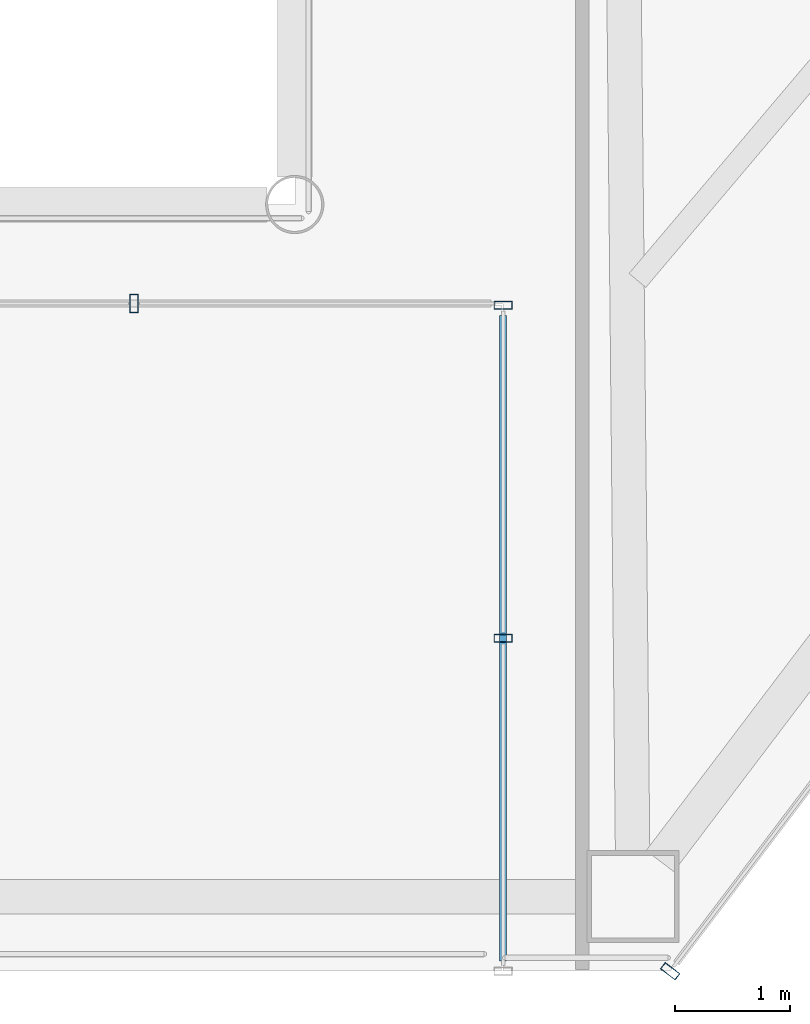
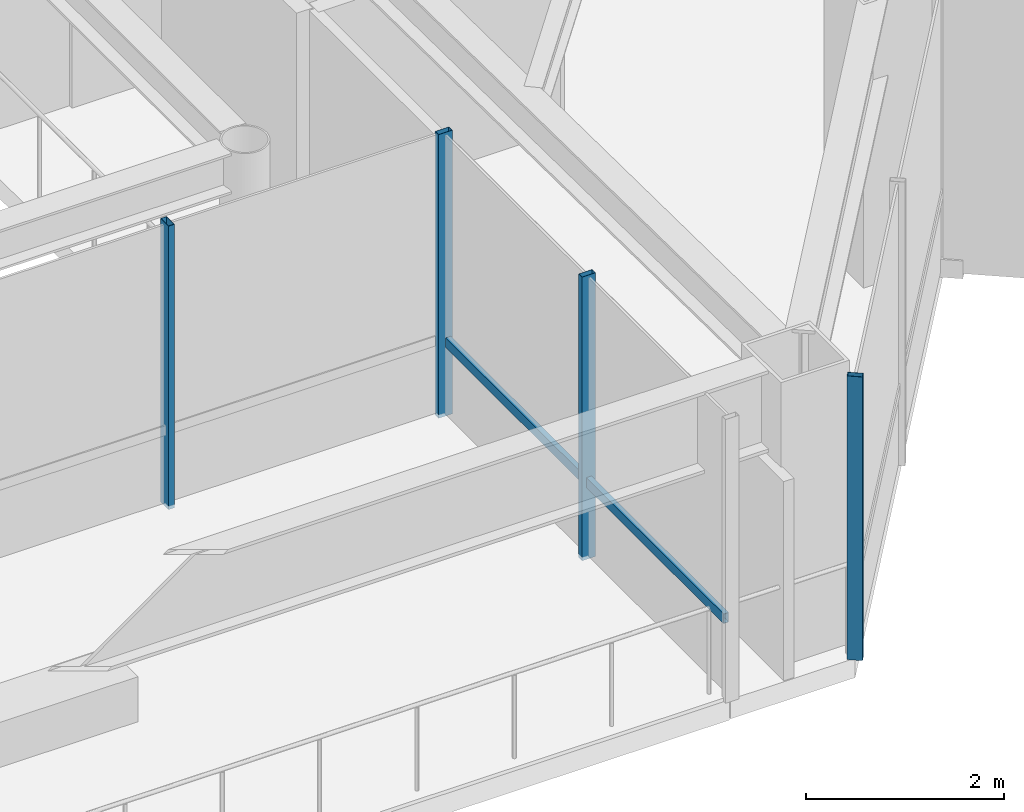
# One storey, part 7 of 28: 5 members, 3 elements without a shape of their own.
"""IFC4 building model written with IfcOpenShell, lengths in metres."""

from ifc_helpers import new_model, si_unit, direction, frame, origin, origin_2d, place, context, subcontext, project, spatial, hollow_rectangle, extrude, material, layer, layer_set, material_profile, profile_set, type_object, element, aggregate, save


model = new_model("IFC4")

# Units and contexts
model_context = context("Model", 3, precision=1e-05, world=origin(), true_north=direction((0.0, 1.0)))
body_context = subcontext(model_context, "Body", "Model", "MODEL_VIEW")
ifc_project = project(units=[si_unit("LENGTHUNIT", "METRE"), si_unit("AREAUNIT", "SQUARE_METRE"), si_unit("VOLUMEUNIT", "CUBIC_METRE"), si_unit("PLANEANGLEUNIT", "RADIAN"), si_unit("MASSUNIT", "GRAM", prefix="KILO")], contexts=[model_context])

# Site, building, storey
site_placement = place(None, origin())
site = spatial("IfcSite", under=ifc_project, at=site_placement, CompositionType="ELEMENT")
building_placement = place(site_placement, origin())
building = spatial("IfcBuilding", under=site, at=building_placement, Name="Zarrinselat Tower", CompositionType="ELEMENT")
storey_placement = place(building_placement, frame((0.0, 0.0, 157.080078125)))
storey = spatial("IfcBuildingStorey", under=building, at=storey_placement, Name="L38", CompositionType="ELEMENT", Elevation=157.080078125)

# Curtain wall, member
ifc_material_1 = material(Name="Extruded Aluminium Alloy EN AW-6063 T6", Category="aluminium")
ifc_layer_1 = layer(ifc_material_1, 0.175048828125)
ifc_layer_set_1 = layer_set([ifc_layer_1], Name="Extruded Aluminium Alloy EN AW-6063 T6")
curtain_wall_type_1 = type_object("IfcCurtainWallType", Name="CWS-HTL", PredefinedType="NOTDEFINED", material=ifc_layer_set_1)
curtain_wall_1_placement = place(storey_placement, origin())
curtain_wall_1 = element("IfcCurtainWall", 1, at=curtain_wall_1_placement, inside=storey, type_object=curtain_wall_type_1, Name="L38 Unitised Curtain Wall CW-L38-E05", PredefinedType="NOTDEFINED")
ifc_material_2 = material(Name="Extruded Aluminium Alloy EN AW-6063 T6", Category="aluminium")
ifc_material_profile_1 = material_profile(ifc_material_2, hollow_rectangle(XDim=0.070068359375, YDim=0.159912109375, WallThickness=0.00390625, at=origin_2d()), Name="RHS 160x70x4")
ifc_profile_set_1 = profile_set([ifc_material_profile_1], Name="Extruded Aluminium Alloy EN AW-6063 T6")
member_type_1 = type_object("IfcMemberType", Name="MEM-CW-MUL2", PredefinedType="MULLION", material=ifc_profile_set_1)
member_1_placement = place(storey_placement, frame((46.268798828125, 17.723388671875, 0.0), z_axis=(0.0, 0.0, 1.0), x_axis=(-0.603858522722, -0.797091515785, 0.0)))
member_1 = element("IfcMember", 2, at=member_1_placement, type_object=member_type_1, Name="CW-L38-E05 Mullion 9", PredefinedType="MULLION", context=body_context, shape_type="SweptSolid", body=[
    extrude(hollow_rectangle(XDim=0.070068359375, YDim=0.159912109375, WallThickness=0.00390625, at=origin_2d()), origin(), (0.0, 0.0, 1.0), 3.5),
])
aggregate(curtain_wall_1, [member_1])

# Curtain wall, members
ifc_material_3 = material(Name="Extruded Aluminium Alloy EN AW-6063 T6", Category="aluminium")
ifc_layer_2 = layer(ifc_material_3, 0.18994140625)
ifc_layer_set_2 = layer_set([ifc_layer_2], Name="Extruded Aluminium Alloy EN AW-6063 T6")
curtain_wall_type_2 = type_object("IfcCurtainWallType", Name="CWS-SG", PredefinedType="NOTDEFINED", material=ifc_layer_set_2)
curtain_wall_2_placement = place(storey_placement, origin())
curtain_wall_2 = element("IfcCurtainWall", 3, at=curtain_wall_2_placement, inside=storey, type_object=curtain_wall_type_2, Name="L38 Unitised Curtain Wall CW-L38-E07", PredefinedType="NOTDEFINED")
member_2_placement = place(storey_placement, frame((44.81494140625, 20.623291015625, 0.0), z_axis=(0.0, 0.0, 1.0), x_axis=(0.0, 1.0, 0.0)))
member_2 = element("IfcMember", 4, at=member_2_placement, type_object=member_type_1, Name="CW-L38-E07 Mullion 1", PredefinedType="MULLION", context=body_context, shape_type="SweptSolid", body=[
    extrude(hollow_rectangle(XDim=0.070068359375, YDim=0.159912109375, WallThickness=0.00390625, at=origin_2d()), origin(), (0.0, 0.0, 1.0), 3.5),
])
member_3_placement = place(storey_placement, frame((44.81494140625, 23.5234375, 0.0), z_axis=(0.0, 0.0, 1.0), x_axis=(0.0, 1.0, 0.0)))
member_3 = element("IfcMember", 5, at=member_3_placement, type_object=member_type_1, Name="CW-L38-E07 Mullion 2", PredefinedType="MULLION", context=body_context, shape_type="SweptSolid", body=[
    extrude(hollow_rectangle(XDim=0.070068359375, YDim=0.159912109375, WallThickness=0.00390625, at=origin_2d()), origin(), (0.0, 0.0, 1.0), 3.5),
])

# Curtain wall, member
curtain_wall_3_placement = place(storey_placement, origin())
curtain_wall_3 = element("IfcCurtainWall", 6, at=curtain_wall_3_placement, inside=storey, type_object=curtain_wall_type_2, Name="L38 Unitised Curtain Wall CW-L38-E24", PredefinedType="NOTDEFINED")
member_4_placement = place(storey_placement, frame((41.60009765625, 23.538330078125, 0.0), z_axis=(0.0, 0.0, 1.0), x_axis=(-1.0, 0.0, 0.0)))
member_4 = element("IfcMember", 7, at=member_4_placement, type_object=member_type_1, Name="CW-L38-E24 Mullion 1", PredefinedType="MULLION", context=body_context, shape_type="SweptSolid", body=[
    extrude(hollow_rectangle(XDim=0.070068359375, YDim=0.159912109375, WallThickness=0.00390625, at=origin_2d()), origin(), (0.0, 0.0, 1.0), 3.5),
])
aggregate(curtain_wall_3, [member_4])

# Member
ifc_material_4 = material(Name="Extruded Aluminium Alloy EN AW-6063 T6", Category="aluminium")
ifc_material_profile_2 = material_profile(ifc_material_4, hollow_rectangle(XDim=0.06005859375, YDim=0.1201171875, WallThickness=0.00390625, at=origin_2d()), Name="RHS 120x60x4")
ifc_profile_set_2 = profile_set([ifc_material_profile_2], Name="Extruded Aluminium Alloy EN AW-6063 T6")
member_type_2 = type_object("IfcMemberType", Name="MEM-CW-TRN2", PredefinedType="USERDEFINED", material=ifc_profile_set_2)
member_5_placement = place(storey_placement, frame((44.81494140625, 17.8134765625, 0.949951171875), z_axis=(0.0, 1.0, 0.0), x_axis=(-1.0, 0.0, 0.0)))
member_5 = element("IfcMember", 8, at=member_5_placement, type_object=member_type_2, Name="CW-L38-E07 Transom 1", ObjectType="TRANSOM", PredefinedType="USERDEFINED", context=body_context, shape_type="SweptSolid", body=[
    extrude(hollow_rectangle(XDim=0.06005859375, YDim=0.1201171875, WallThickness=0.00390625, at=origin_2d()), origin(), (0.0, 0.0, 1.0), 5.619873046875),
])

aggregate(curtain_wall_2, [member_2, member_3, member_5])

save(model, "model.ifc")
